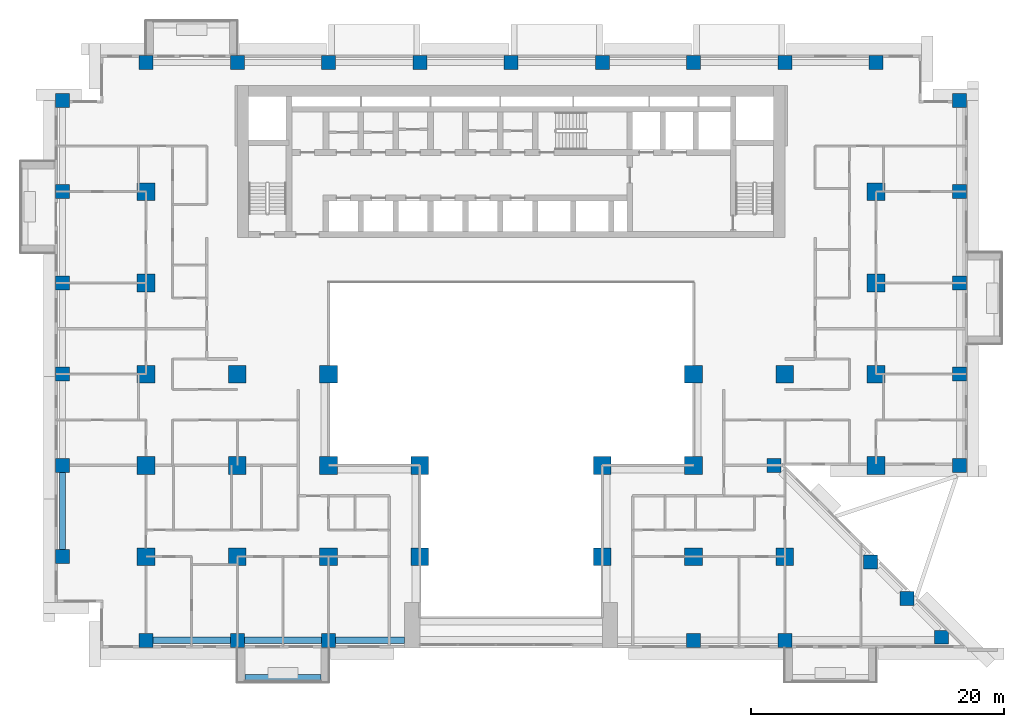
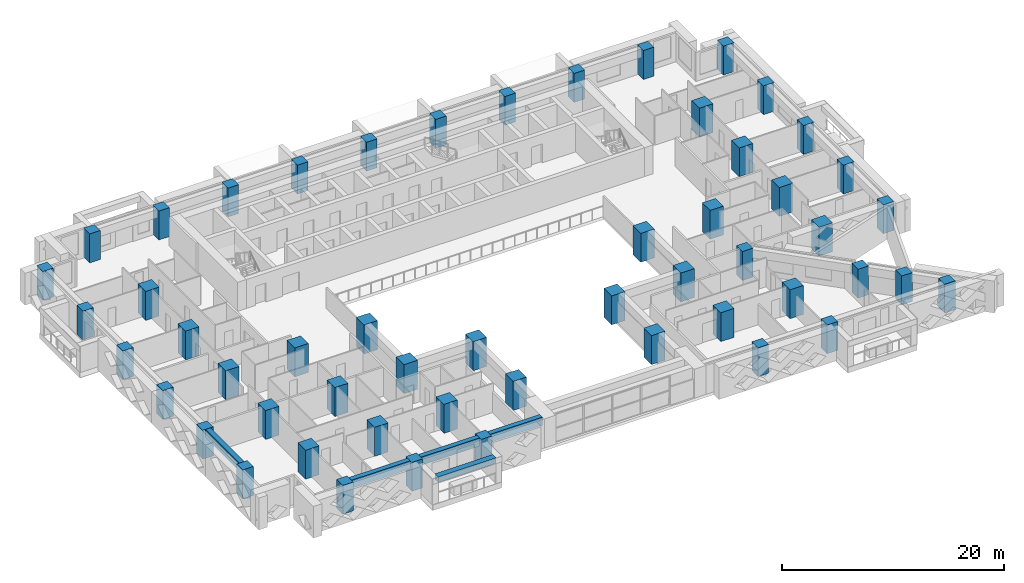
# One storey, part 1 of 17: 53 columns, 5 beams.
"""IFC4 building model written with IfcOpenShell, lengths in metres."""

from ifc_helpers import new_model, si_unit, direction, frame, origin, origin_2d, place, context, subcontext, project, spatial, rectangle, extrude, source, transform, mapped, material, material_profile, profile_set, type_object, element, save


model = new_model("IFC4")

# Units and contexts
model_context = context("Model", 3, precision=1e-05, world=origin(), true_north=direction((0.0, 1.0)))
body_context = subcontext(model_context, "Body", "Model", "MODEL_VIEW")
ifc_project = project(units=[si_unit("LENGTHUNIT", "METRE"), si_unit("AREAUNIT", "SQUARE_METRE"), si_unit("VOLUMEUNIT", "CUBIC_METRE"), si_unit("PLANEANGLEUNIT", "RADIAN"), si_unit("MASSUNIT", "GRAM", prefix="KILO")], contexts=[model_context])

# Site, building, storey
site_placement = place(None, origin())
site = spatial("IfcSite", under=ifc_project, at=site_placement, CompositionType="ELEMENT")
building_placement = place(site_placement, origin())
building = spatial("IfcBuilding", under=site, at=building_placement, Name="Saffron Iwan Residences", CompositionType="ELEMENT")
storey_placement = place(building_placement, frame((0.0, 0.0, 55.0)))
storey = spatial("IfcBuildingStorey", under=building, at=storey_placement, Name="L13", CompositionType="ELEMENT", Elevation=55.0)

# Columns
ifc_material_1 = material(Name="Concrete C60/75", Category="concrete")
ifc_material_profile_1 = material_profile(ifc_material_1, rectangle(XDim=1.10009765625, YDim=1.10009765625, at=origin_2d()), Name="RC 1100x1100")
ifc_profile_set_1 = profile_set([ifc_material_profile_1], Name="Concrete C60/75")
column_type_1 = type_object("IfcColumnType", Name="COL RC 1100x1100 C60/75 3180 HIGH", PredefinedType="COLUMN", material=ifc_profile_set_1)
shared_shape_1 = source(origin(), body_context, "Body", "SweptSolid", [
    extrude(rectangle(XDim=1.10009765625, YDim=1.10009765625, at=origin_2d()), origin(), (0.0, 0.0, 1.0), 3.179931640625),
])
for number, where, z_axis, x_axis, name in (
    (1, (21.60009765625, 34.199951171875, 0.0), (0.0, 0.0, 1.0), (1.0, 0.0, 0.0), "Column C038"),
    (2, (28.800048828125, 34.199951171875, 0.0), (0.0, 0.0, 1.0), (1.0, 0.0, 0.0), "Column C039"),
    (3, (36.0, 34.199951171875, 0.0), (0.0, 0.0, 1.0), (1.0, 0.0, 0.0), "Column C040"),
    (4, (64.800048828125, 34.199951171875, 0.0), (0.0, 0.0, 1.0), (1.0, 0.0, 0.0), "Column C041"),
    (5, (72.0, 34.199951171875, 0.0), (0.0, 0.0, 1.0), (1.0, 0.0, 0.0), "Column C042"),
    (6, (84.367431640625, 34.44189453125, 0.0), (0.0, 0.0, 1.0), (1.0, 0.0, 0.0), "Column C043"),
    (7, (81.65576171875, 37.49560546875, 0.0), (0.0, 0.0, 1.0), (1.0, 0.0, 0.0), "Column C044"),
    (8, (78.775634765625, 40.375732421875, 0.0), (0.0, 0.0, 1.0), (1.0, 0.0, 0.0), "Column C047"),
    (9, (15.0, 40.800048828125, 0.0), (0.0, 0.0, 1.0), (1.0, 0.0, 0.0), "Column C048"),
    (10, (15.0, 48.0, 0.0), (0.0, 0.0, 1.0), (1.0, 0.0, 0.0), "Column C061"),
    (11, (71.14990234375, 48.0, 0.0), (0.0, 0.0, 1.0), (1.0, 0.0, 0.0), "Column C070"),
    (12, (85.800048828125, 48.0, 0.0), (0.0, 0.0, 1.0), (1.0, 0.0, 0.0), "Column C074"),
    (13, (15.0, 55.199951171875, 0.0), (0.0, 0.0, 1.0), (1.0, 0.0, 0.0), "Column C077"),
    (14, (85.800048828125, 55.199951171875, 0.0), (0.0, 0.0, 1.0), (1.0, 0.0, 0.0), "Column C086"),
    (15, (15.0, 62.39990234375, 0.0), (0.0, 0.0, 1.0), (1.0, 0.0, 0.0), "Column C089"),
    (16, (85.800048828125, 62.39990234375, 0.0), (0.0, 0.0, 1.0), (1.0, 0.0, 0.0), "Column C094"),
    (17, (15.0, 69.60009765625, 0.0), (0.0, 0.0, 1.0), (1.0, 0.0, 0.0), "Column C097"),
    (18, (85.800048828125, 69.60009765625, 0.0), (0.0, 0.0, 1.0), (1.0, 0.0, 0.0), "Column C102"),
    (19, (15.0, 76.800048828125, 0.0), (0.0, 0.0, 1.0), (1.0, 0.0, 0.0), "Column C105"),
    (20, (85.800048828125, 76.800048828125, 0.0), (0.0, 0.0, 1.0), (1.0, 0.0, 0.0), "Column C110"),
    (21, (21.60009765625, 79.800048828125, 0.0), (0.0, 0.0, 1.0), (1.0, 0.0, 0.0), "Column C113"),
    (22, (28.800048828125, 79.800048828125, 0.0), (0.0, 0.0, 1.0), (1.0, 0.0, 0.0), "Column C115"),
    (23, (36.0, 79.800048828125, 0.0), (0.0, 0.0, 1.0), (1.0, 0.0, 0.0), "Column C116"),
    (24, (43.199951171875, 79.800048828125, 0.0), (0.0, 0.0, 1.0), (1.0, 0.0, 0.0), "Column C117"),
    (25, (50.39990234375, 79.800048828125, 0.0), (0.0, 0.0, 1.0), (1.0, 0.0, 0.0), "Column C118"),
    (26, (57.60009765625, 79.800048828125, 0.0), (0.0, 0.0, 1.0), (1.0, 0.0, 0.0), "Column C119"),
    (27, (64.800048828125, 79.800048828125, 0.0), (0.0, 0.0, 1.0), (1.0, 0.0, 0.0), "Column C120"),
    (28, (72.0, 79.800048828125, 0.0), (0.0, 0.0, 1.0), (1.0, 0.0, 0.0), "Column C121"),
    (29, (79.199951171875, 79.800048828125, 0.0), (0.0, 0.0, 1.0), (1.0, 0.0, 0.0), "Column C123"),
):
    element("IfcColumn", number, at=place(storey_placement, frame(where, z_axis=z_axis, x_axis=x_axis)), inside=storey, type_object=column_type_1, Name=name, PredefinedType="COLUMN", context=body_context, shape_type="MappedRepresentation", body=[
        mapped(shared_shape_1, transform((0.0, 0.0, 0.0))),
    ])
ifc_material_profile_2 = material_profile(ifc_material_1, rectangle(XDim=1.39990234375, YDim=1.39990234375, at=origin_2d()), Name="RC 1400x1400")
ifc_profile_set_2 = profile_set([ifc_material_profile_2], Name="Concrete C60/75")
column_type_2 = type_object("IfcColumnType", Name="COL RC 1400x1400 C60/75 3180 HIGH", PredefinedType="COLUMN", material=ifc_profile_set_2)
shared_shape_2 = source(origin(), body_context, "Body", "SweptSolid", [
    extrude(rectangle(XDim=1.39990234375, YDim=1.39990234375, at=origin_2d()), origin(), (0.0, 0.0, 1.0), 3.179931640625),
])
for number, where, z_axis, x_axis, name in (
    (30, (21.60009765625, 40.800048828125, 0.0), (0.0, 0.0, 1.0), (1.0, 0.0, 0.0), "Column C049"),
    (31, (28.800048828125, 40.800048828125, 0.0), (0.0, 0.0, 1.0), (1.0, 0.0, 0.0), "Column C051"),
    (32, (36.0, 40.800048828125, 0.0), (0.0, 0.0, 1.0), (1.0, 0.0, 0.0), "Column C052"),
    (33, (43.199951171875, 40.800048828125, 0.0), (0.0, 0.0, 1.0), (1.0, 0.0, 0.0), "Column C053"),
    (34, (57.60009765625, 40.800048828125, 0.0), (0.0, 0.0, 1.0), (1.0, 0.0, 0.0), "Column C054"),
    (35, (64.800048828125, 40.800048828125, 0.0), (0.0, 0.0, 1.0), (1.0, 0.0, 0.0), "Column C055"),
    (36, (72.0, 40.800048828125, 0.0), (0.0, 0.0, 1.0), (1.0, 0.0, 0.0), "Column C056"),
    (37, (21.60009765625, 48.0, 0.0), (0.0, 0.0, 1.0), (1.0, 0.0, 0.0), "Column C063"),
    (38, (28.800048828125, 48.0, 0.0), (0.0, 0.0, 1.0), (1.0, 0.0, 0.0), "Column C064"),
    (39, (36.0, 48.0, 0.0), (0.0, 0.0, 1.0), (1.0, 0.0, 0.0), "Column C065"),
    (40, (43.199951171875, 48.0, 0.0), (0.0, 0.0, 1.0), (1.0, 0.0, 0.0), "Column C066"),
    (41, (57.60009765625, 48.0, 0.0), (0.0, 0.0, 1.0), (1.0, 0.0, 0.0), "Column C068"),
    (42, (64.800048828125, 48.0, 0.0), (0.0, 0.0, 1.0), (1.0, 0.0, 0.0), "Column C069"),
    (43, (79.199951171875, 48.0, 0.0), (0.0, 0.0, 1.0), (1.0, 0.0, 0.0), "Column C072"),
    (44, (21.60009765625, 55.199951171875, 0.0), (0.0, 0.0, 1.0), (1.0, 0.0, 0.0), "Column C079"),
    (45, (28.800048828125, 55.199951171875, 0.0), (0.0, 0.0, 1.0), (1.0, 0.0, 0.0), "Column C080"),
    (46, (36.0, 55.199951171875, 0.0), (0.0, 0.0, 1.0), (1.0, 0.0, 0.0), "Column C081"),
    (47, (64.800048828125, 55.199951171875, 0.0), (0.0, 0.0, 1.0), (1.0, 0.0, 0.0), "Column C082"),
    (48, (72.0, 55.199951171875, 0.0), (0.0, 0.0, 1.0), (1.0, 0.0, 0.0), "Column C083"),
    (49, (79.199951171875, 55.199951171875, 0.0), (0.0, 0.0, 1.0), (1.0, 0.0, 0.0), "Column C084"),
    (50, (21.60009765625, 62.39990234375, 0.0), (0.0, 0.0, 1.0), (1.0, 0.0, 0.0), "Column C091"),
    (51, (79.199951171875, 62.39990234375, 0.0), (0.0, 0.0, 1.0), (1.0, 0.0, 0.0), "Column C092"),
    (52, (21.60009765625, 69.60009765625, 0.0), (0.0, 0.0, 1.0), (1.0, 0.0, 0.0), "Column C099"),
    (53, (79.199951171875, 69.60009765625, 0.0), (0.0, 0.0, 1.0), (1.0, 0.0, 0.0), "Column C100"),
):
    element("IfcColumn", number, at=place(storey_placement, frame(where, z_axis=z_axis, x_axis=x_axis)), inside=storey, type_object=column_type_2, Name=name, PredefinedType="COLUMN", context=body_context, shape_type="MappedRepresentation", body=[
        mapped(shared_shape_2, transform((0.0, 0.0, 0.0))),
    ])

# Beams
ifc_material_profile_3 = material_profile(ifc_material_1, rectangle(XDim=0.5, YDim=0.89990234375, at=origin_2d()), Name="RC 500x900")
ifc_profile_set_3 = profile_set([ifc_material_profile_3], Name="Concrete C60/75")
beam_type_1 = type_object("IfcBeamType", Name="SPANDREL BEAM RC 500x900 C60/75 TOP 3180", PredefinedType="SPANDREL", material=ifc_profile_set_3)
shared_shape_3 = source(origin(), body_context, "Body", "SweptSolid", [
    extrude(rectangle(XDim=0.5, YDim=0.89990234375, at=origin_2d()), origin(), (0.0, 0.0, 1.0), 6.10009765625),
])
beam_1_placement = place(storey_placement, frame((28.25, 34.199951171875, 2.72998046875), z_axis=(-1.0, 0.0, 0.0), x_axis=(0.0, -1.0, 0.0)))
element("IfcBeam", 54, at=beam_1_placement, inside=storey, type_object=beam_type_1, Name="Spandrel beam", PredefinedType="SPANDREL", context=body_context, shape_type="MappedRepresentation", body=[
    mapped(shared_shape_3, transform((0.0, 0.0, 0.0))),
])
shared_shape_4 = source(origin(), body_context, "Body", "SweptSolid", [
    extrude(rectangle(XDim=0.5, YDim=0.89990234375, at=origin_2d()), origin(), (0.0, 0.0, 1.0), 6.099853515625),
])
for number, where, z_axis, x_axis, name in (
    (55, (35.449951171875, 34.199951171875, 2.72998046875), (-1.0, 0.0, 0.0), (0.0, -1.0, 0.0), "Spandrel beam"),
    (56, (15.0, 41.35009765625, 2.72998046875), (0.0, 1.0, 0.0), (-1.0, 0.0, 0.0), "Spandrel beam"),
):
    element("IfcBeam", number, at=place(storey_placement, frame(where, z_axis=z_axis, x_axis=x_axis)), inside=storey, type_object=beam_type_1, Name=name, PredefinedType="SPANDREL", context=body_context, shape_type="MappedRepresentation", body=[
        mapped(shared_shape_4, transform((0.0, 0.0, 0.0))),
    ])
shared_shape_5 = source(origin(), body_context, "Body", "SweptSolid", [
    extrude(rectangle(XDim=0.5, YDim=0.89990234375, at=origin_2d()), origin(), (0.0, 0.0, 1.0), 5.449951171875),
])
beam_2_placement = place(storey_placement, frame((42.0, 34.199951171875, 2.72998046875), z_axis=(-1.0, 0.0, 0.0), x_axis=(0.0, -1.0, 0.0)))
element("IfcBeam", 57, at=beam_2_placement, inside=storey, type_object=beam_type_1, Name="Spandrel beam", PredefinedType="SPANDREL", context=body_context, shape_type="MappedRepresentation", body=[
    mapped(shared_shape_5, transform((0.0, 0.0, 0.0))),
])
ifc_material_2 = material(Name="Concrete C50/60 white painted", Category="concrete")
ifc_material_profile_4 = material_profile(ifc_material_2, rectangle(XDim=0.60009765625, YDim=0.60009765625, at=origin_2d()), Name="BALCONY FASCIA BEAM 600 x 600")
ifc_profile_set_4 = profile_set([ifc_material_profile_4], Name="Concrete C50/60 white painted")
beam_type_2 = type_object("IfcBeamType", Name="BALCONY FASCIA BEAM 600 x 600", PredefinedType="BEAM", material=ifc_profile_set_4)
shared_shape_6 = source(origin(), body_context, "Body", "SweptSolid", [
    extrude(rectangle(XDim=0.60009765625, YDim=0.60009765625, at=origin_2d()), origin(), (0.0, 0.0, 1.0), 6.0),
])
beam_3_placement = place(storey_placement, frame((29.39990234375, 31.199951171875, 2.550048828125), z_axis=(1.0, 0.0, 0.0), x_axis=(0.0, 1.0, 0.0)))
element("IfcBeam", 58, at=beam_3_placement, inside=storey, type_object=beam_type_2, Name="Balcony fascia beam L13 11-0", PredefinedType="BEAM", context=body_context, shape_type="MappedRepresentation", body=[
    mapped(shared_shape_6, transform((0.0, 0.0, 0.0))),
])

save(model, "model.ifc")
